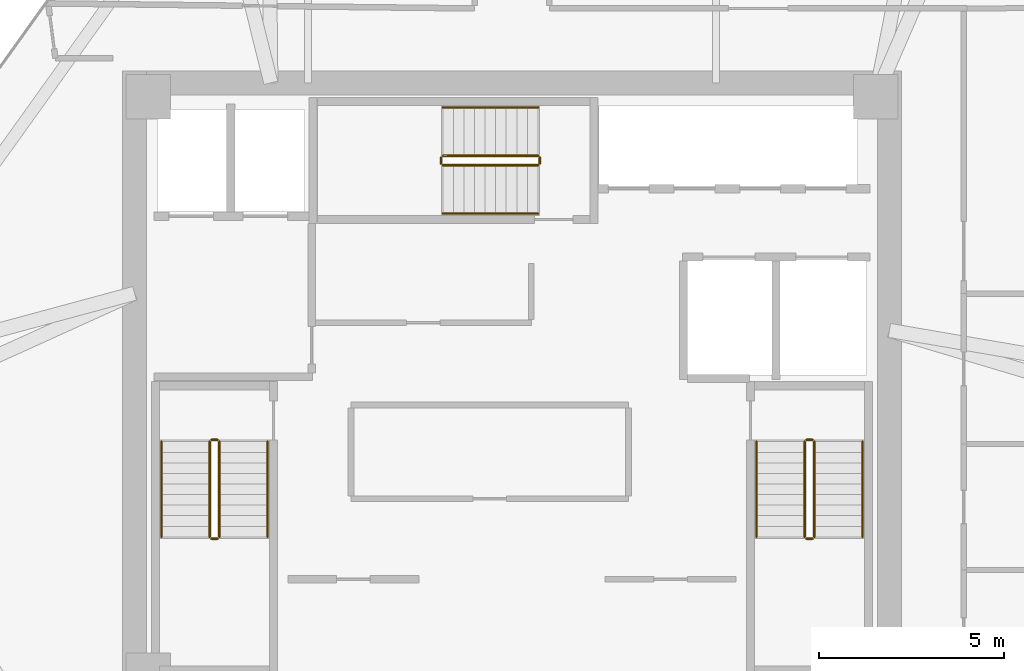
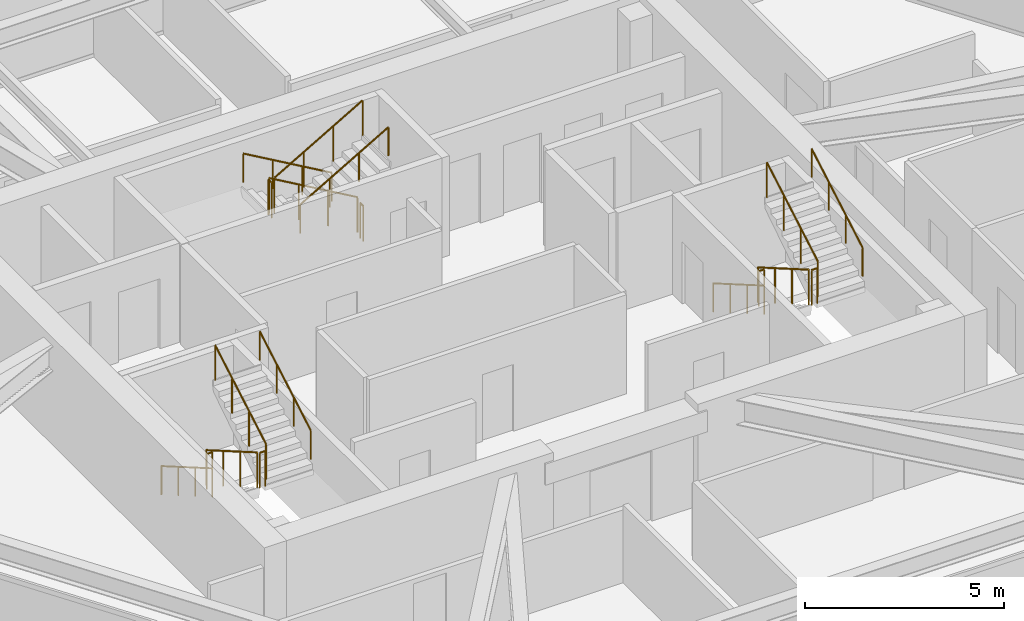
# One storey, part 11 of 11: 18 railings.
"""IFC4 building model written with IfcOpenShell, lengths in metres."""

from ifc_helpers import new_model, si_unit, direction, frame, origin, origin_2d, place, context, subcontext, project, spatial, circle, extrude, material, type_object, element, save


model = new_model("IFC4")

# Units and contexts
model_context = context("Model", 3, precision=1e-05, world=origin(), true_north=direction((0.0, 1.0)))
body_context = subcontext(model_context, "Body", "Model", "MODEL_VIEW")
ifc_project = project(units=[si_unit("LENGTHUNIT", "METRE"), si_unit("AREAUNIT", "SQUARE_METRE"), si_unit("VOLUMEUNIT", "CUBIC_METRE"), si_unit("PLANEANGLEUNIT", "RADIAN"), si_unit("MASSUNIT", "GRAM", prefix="KILO")], contexts=[model_context])

# Site, building, storey
site_placement = place(None, origin())
site = spatial("IfcSite", under=ifc_project, at=site_placement, CompositionType="ELEMENT")
building_placement = place(site_placement, origin())
building = spatial("IfcBuilding", under=site, at=building_placement, Name="Durnholm Broadcast Tower", CompositionType="ELEMENT")
storey_placement = place(building_placement, frame((0.0, 0.0, 170.5)))
storey = spatial("IfcBuildingStorey", under=building, at=storey_placement, Name="L46", CompositionType="ELEMENT", Elevation=170.5)

# Railings
ifc_material_1 = material(Name="Painted Tubular Steel Stair Guardrail", Category="steel")
railing_type_1 = type_object("IfcRailingType", Name="RAIL-ST-GRD", PredefinedType="GUARDRAIL", material=ifc_material_1)
railing_1_placement = place(storey_placement, frame((-8.14990234375, -1.5, 0.1650390625)))
element("IfcRailing", 1, at=railing_1_placement, inside=storey, type_object=railing_type_1, Name="L46 ST-1 stair guard 1", PredefinedType="GUARDRAIL", context=body_context, shape_type="SweptSolid", body=[
    extrude(circle(Radius=0.02392578125, at=origin_2d()), frame((0.0, 0.0, 1.076171875), z_axis=(0.0, -0.865441324677, 0.50101029285), x_axis=(1.0, 0.0, 0.0)), (0.0, 0.0, 1.0), 2.963623046875),
    extrude(circle(Radius=0.02099609375, at=origin_2d()), origin(), (0.0, 0.0, 1.0), 1.052001953125),
    extrude(circle(Radius=0.02099609375, at=origin_2d()), frame((0.0, -0.85498046875, 0.494873046875)), (0.0, 0.0, 1.0), 1.052001953125),
    extrude(circle(Radius=0.02099609375, at=origin_2d()), frame((0.0, -1.7099609375, 0.989990234375)), (0.0, 0.0, 1.0), 1.052001953125),
    extrude(circle(Radius=0.02099609375, at=origin_2d()), frame((0.0, -2.56494140625, 1.48486328125)), (0.0, 0.0, 1.0), 1.052001953125),
])
railing_2_placement = place(storey_placement, frame((-8.10009765625, -4.114990234375, 1.64990234375)))
element("IfcRailing", 2, at=railing_2_placement, inside=storey, type_object=railing_type_1, Name="L46 ST-1 stair guard 2", PredefinedType="GUARDRAIL", context=body_context, shape_type="SweptSolid", body=[
    extrude(circle(Radius=0.02392578125, at=origin_2d()), frame((0.0, 0.0, 1.076171875), z_axis=(1.0, 0.0, 0.0), x_axis=(0.0, 1.0, 0.0)), (0.0, 0.0, 1.0), 0.16015625),
    extrude(circle(Radius=0.02099609375, at=origin_2d()), origin(), (0.0, 0.0, 1.0), 1.052001953125),
    extrude(circle(Radius=0.02099609375, at=origin_2d()), frame((0.16015625, 0.0, 0.0)), (0.0, 0.0, 1.0), 1.052001953125),
])
railing_3_placement = place(storey_placement, frame((-7.889892578125, -4.06494140625, 1.81494140625)))
element("IfcRailing", 3, at=railing_3_placement, inside=storey, type_object=railing_type_1, Name="L46 ST-1 stair guard 3", PredefinedType="GUARDRAIL", context=body_context, shape_type="SweptSolid", body=[
    extrude(circle(Radius=0.02392578125, at=origin_2d()), frame((0.0, 0.0, 1.076171875), z_axis=(0.0, 0.865405606168, 0.501071987656), x_axis=(-1.0, 0.0, 0.0)), (0.0, 0.0, 1.0), 2.9638671875),
    extrude(circle(Radius=0.02099609375, at=origin_2d()), origin(), (0.0, 0.0, 1.0), 1.052001953125),
    extrude(circle(Radius=0.02099609375, at=origin_2d()), frame((0.0, 0.85498046875, 0.4951171875)), (0.0, 0.0, 1.0), 1.052001953125),
    extrude(circle(Radius=0.02099609375, at=origin_2d()), frame((0.0, 1.7099609375, 0.989990234375)), (0.0, 0.0, 1.0), 1.052001953125),
    extrude(circle(Radius=0.02099609375, at=origin_2d()), frame((0.0, 2.56494140625, 1.485107421875)), (0.0, 0.0, 1.0), 1.052001953125),
])
railing_4_placement = place(storey_placement, frame((-8.10009765625, -1.449951171875, 0.0)))
element("IfcRailing", 4, at=railing_4_placement, inside=storey, type_object=railing_type_1, Name="L46 ST-1 stair guard 4", PredefinedType="GUARDRAIL", context=body_context, shape_type="SweptSolid", body=[
    extrude(circle(Radius=0.02392578125, at=origin_2d()), frame((0.0, 0.0, 1.076171875), z_axis=(1.0, 0.0, 0.0), x_axis=(0.0, 1.0, 0.0)), (0.0, 0.0, 1.0), 0.16015625),
    extrude(circle(Radius=0.02099609375, at=origin_2d()), origin(), (0.0, 0.0, 1.0), 1.052001953125),
    extrude(circle(Radius=0.02099609375, at=origin_2d()), frame((0.16015625, 0.0, 0.0)), (0.0, 0.0, 1.0), 1.052001953125),
])
railing_5_placement = place(storey_placement, frame((7.889892578125, -1.5, 0.1650390625)))
element("IfcRailing", 5, at=railing_5_placement, inside=storey, type_object=railing_type_1, Name="L46 ST-2 stair guard 1", PredefinedType="GUARDRAIL", context=body_context, shape_type="SweptSolid", body=[
    extrude(circle(Radius=0.02392578125, at=origin_2d()), frame((0.0, 0.0, 1.076171875), z_axis=(0.0, -0.865441324677, 0.50101029285), x_axis=(1.0, 0.0, 0.0)), (0.0, 0.0, 1.0), 2.963623046875),
    extrude(circle(Radius=0.02099609375, at=origin_2d()), origin(), (0.0, 0.0, 1.0), 1.052001953125),
    extrude(circle(Radius=0.02099609375, at=origin_2d()), frame((0.0, -0.85498046875, 0.494873046875)), (0.0, 0.0, 1.0), 1.052001953125),
    extrude(circle(Radius=0.02099609375, at=origin_2d()), frame((0.0, -1.7099609375, 0.989990234375)), (0.0, 0.0, 1.0), 1.052001953125),
    extrude(circle(Radius=0.02099609375, at=origin_2d()), frame((0.0, -2.56494140625, 1.48486328125)), (0.0, 0.0, 1.0), 1.052001953125),
])
railing_6_placement = place(storey_placement, frame((7.93994140625, -4.114990234375, 1.64990234375)))
element("IfcRailing", 6, at=railing_6_placement, inside=storey, type_object=railing_type_1, Name="L46 ST-2 stair guard 2", PredefinedType="GUARDRAIL", context=body_context, shape_type="SweptSolid", body=[
    extrude(circle(Radius=0.02392578125, at=origin_2d()), frame((0.0, 0.0, 1.076171875), z_axis=(1.0, 0.0, 0.0), x_axis=(0.0, 1.0, 0.0)), (0.0, 0.0, 1.0), 0.16015625),
    extrude(circle(Radius=0.02099609375, at=origin_2d()), origin(), (0.0, 0.0, 1.0), 1.052001953125),
    extrude(circle(Radius=0.02099609375, at=origin_2d()), frame((0.16015625, 0.0, 0.0)), (0.0, 0.0, 1.0), 1.052001953125),
])
railing_7_placement = place(storey_placement, frame((8.14990234375, -4.06494140625, 1.81494140625)))
element("IfcRailing", 7, at=railing_7_placement, inside=storey, type_object=railing_type_1, Name="L46 ST-2 stair guard 3", PredefinedType="GUARDRAIL", context=body_context, shape_type="SweptSolid", body=[
    extrude(circle(Radius=0.02392578125, at=origin_2d()), frame((0.0, 0.0, 1.076171875), z_axis=(0.0, 0.865405606168, 0.501071987656), x_axis=(-1.0, 0.0, 0.0)), (0.0, 0.0, 1.0), 2.9638671875),
    extrude(circle(Radius=0.02099609375, at=origin_2d()), origin(), (0.0, 0.0, 1.0), 1.052001953125),
    extrude(circle(Radius=0.02099609375, at=origin_2d()), frame((0.0, 0.85498046875, 0.4951171875)), (0.0, 0.0, 1.0), 1.052001953125),
    extrude(circle(Radius=0.02099609375, at=origin_2d()), frame((0.0, 1.7099609375, 0.989990234375)), (0.0, 0.0, 1.0), 1.052001953125),
    extrude(circle(Radius=0.02099609375, at=origin_2d()), frame((0.0, 2.56494140625, 1.485107421875)), (0.0, 0.0, 1.0), 1.052001953125),
])
railing_8_placement = place(storey_placement, frame((7.93994140625, -1.449951171875, 0.0)))
element("IfcRailing", 8, at=railing_8_placement, inside=storey, type_object=railing_type_1, Name="L46 ST-2 stair guard 4", PredefinedType="GUARDRAIL", context=body_context, shape_type="SweptSolid", body=[
    extrude(circle(Radius=0.02392578125, at=origin_2d()), frame((0.0, 0.0, 1.076171875), z_axis=(1.0, 0.0, 0.0), x_axis=(0.0, 1.0, 0.0)), (0.0, 0.0, 1.0), 0.16015625),
    extrude(circle(Radius=0.02099609375, at=origin_2d()), origin(), (0.0, 0.0, 1.0), 1.052001953125),
    extrude(circle(Radius=0.02099609375, at=origin_2d()), frame((0.16015625, 0.0, 0.0)), (0.0, 0.0, 1.0), 1.052001953125),
])
railing_9_placement = place(storey_placement, frame((0.699951171875, 6.2099609375, 0.1650390625)))
element("IfcRailing", 9, at=railing_9_placement, inside=storey, type_object=railing_type_1, Name="L46 ST-3 stair guard 1", PredefinedType="GUARDRAIL", context=body_context, shape_type="SweptSolid", body=[
    extrude(circle(Radius=0.02392578125, at=origin_2d()), frame((0.0, 0.0, 1.076171875), z_axis=(-0.865441324677, 0.0, 0.50101029285), x_axis=(0.0, -1.0, 0.0)), (0.0, 0.0, 1.0), 2.963623046875),
    extrude(circle(Radius=0.02099609375, at=origin_2d()), origin(), (0.0, 0.0, 1.0), 1.052001953125),
    extrude(circle(Radius=0.02099609375, at=origin_2d()), frame((-0.85498046875, 0.0, 0.494873046875)), (0.0, 0.0, 1.0), 1.052001953125),
    extrude(circle(Radius=0.02099609375, at=origin_2d()), frame((-1.7099609375, 0.0, 0.989990234375)), (0.0, 0.0, 1.0), 1.052001953125),
    extrude(circle(Radius=0.02099609375, at=origin_2d()), frame((-2.56494140625, 0.0, 1.48486328125)), (0.0, 0.0, 1.0), 1.052001953125),
])
railing_10_placement = place(storey_placement, frame((-1.9150390625, 6.159912109375, 1.64990234375)))
element("IfcRailing", 10, at=railing_10_placement, inside=storey, type_object=railing_type_1, Name="L46 ST-3 stair guard 2", PredefinedType="GUARDRAIL", context=body_context, shape_type="SweptSolid", body=[
    extrude(circle(Radius=0.02392578125, at=origin_2d()), frame((0.0, 0.0, 1.076171875), z_axis=(0.0, -1.0, 0.0), x_axis=(1.0, 0.0, 0.0)), (0.0, 0.0, 1.0), 0.159912109375),
    extrude(circle(Radius=0.02099609375, at=origin_2d()), origin(), (0.0, 0.0, 1.0), 1.052001953125),
    extrude(circle(Radius=0.02099609375, at=origin_2d()), frame((0.0, -0.159912109375, 0.0)), (0.0, 0.0, 1.0), 1.052001953125),
])
railing_11_placement = place(storey_placement, frame((-1.864990234375, 5.949951171875, 1.81494140625)))
element("IfcRailing", 11, at=railing_11_placement, inside=storey, type_object=railing_type_1, Name="L46 ST-3 stair guard 3", PredefinedType="GUARDRAIL", context=body_context, shape_type="SweptSolid", body=[
    extrude(circle(Radius=0.02392578125, at=origin_2d()), frame((0.0, 0.0, 1.076171875), z_axis=(0.865405606168, 0.0, 0.501071987656), x_axis=(0.0, 1.0, 0.0)), (0.0, 0.0, 1.0), 2.9638671875),
    extrude(circle(Radius=0.02099609375, at=origin_2d()), origin(), (0.0, 0.0, 1.0), 1.052001953125),
    extrude(circle(Radius=0.02099609375, at=origin_2d()), frame((0.85498046875, 0.0, 0.4951171875)), (0.0, 0.0, 1.0), 1.052001953125),
    extrude(circle(Radius=0.02099609375, at=origin_2d()), frame((1.7099609375, 0.0, 0.989990234375)), (0.0, 0.0, 1.0), 1.052001953125),
    extrude(circle(Radius=0.02099609375, at=origin_2d()), frame((2.56494140625, 0.0, 1.485107421875)), (0.0, 0.0, 1.0), 1.052001953125),
])
railing_12_placement = place(storey_placement, frame((0.75, 6.159912109375, 0.0)))
element("IfcRailing", 12, at=railing_12_placement, inside=storey, type_object=railing_type_1, Name="L46 ST-3 stair guard 4", PredefinedType="GUARDRAIL", context=body_context, shape_type="SweptSolid", body=[
    extrude(circle(Radius=0.02392578125, at=origin_2d()), frame((0.0, 0.0, 1.076171875), z_axis=(0.0, -1.0, 0.0), x_axis=(1.0, 0.0, 0.0)), (0.0, 0.0, 1.0), 0.159912109375),
    extrude(circle(Radius=0.02099609375, at=origin_2d()), origin(), (0.0, 0.0, 1.0), 1.052001953125),
    extrude(circle(Radius=0.02099609375, at=origin_2d()), frame((0.0, -0.159912109375, 0.0)), (0.0, 0.0, 1.0), 1.052001953125),
])
ifc_material_2 = material(Name="Brushed Stainless Steel Handrail", Category="steel")
railing_type_2 = type_object("IfcRailingType", Name="RAIL-ST-HND", PredefinedType="HANDRAIL", material=ifc_material_2)
railing_13_placement = place(storey_placement, frame((-9.449951171875, -1.5, 0.330078125)))
element("IfcRailing", 13, at=railing_13_placement, inside=storey, type_object=railing_type_2, Name="L46 ST-1 stair handrail 1", PredefinedType="HANDRAIL", context=body_context, shape_type="SweptSolid", body=[
    extrude(circle(Radius=0.02392578125, at=origin_2d()), frame((0.0, 0.0, 0.8759765625), z_axis=(0.0, -0.865441324677, 0.50101029285), x_axis=(1.0, 0.0, 0.0)), (0.0, 0.0, 1.0), 2.963623046875),
    extrude(circle(Radius=0.02099609375, at=origin_2d()), origin(), (0.0, 0.0, 1.0), 0.851806640625),
    extrude(circle(Radius=0.02099609375, at=origin_2d()), frame((0.0, -0.85498046875, 0.494873046875)), (0.0, 0.0, 1.0), 0.851806640625),
    extrude(circle(Radius=0.02099609375, at=origin_2d()), frame((0.0, -1.7099609375, 0.989990234375)), (0.0, 0.0, 1.0), 0.851806640625),
    extrude(circle(Radius=0.02099609375, at=origin_2d()), frame((0.0, -2.56494140625, 1.48486328125)), (0.0, 0.0, 1.0), 0.851806640625),
])
railing_14_placement = place(storey_placement, frame((-6.590087890625, -4.06494140625, 1.97998046875)))
element("IfcRailing", 14, at=railing_14_placement, inside=storey, type_object=railing_type_2, Name="L46 ST-1 stair handrail 2", PredefinedType="HANDRAIL", context=body_context, shape_type="SweptSolid", body=[
    extrude(circle(Radius=0.02392578125, at=origin_2d()), frame((0.0, 0.0, 0.8759765625), z_axis=(0.0, 0.865405606168, 0.501071987656), x_axis=(-1.0, 0.0, 0.0)), (0.0, 0.0, 1.0), 2.9638671875),
    extrude(circle(Radius=0.02099609375, at=origin_2d()), origin(), (0.0, 0.0, 1.0), 0.851806640625),
    extrude(circle(Radius=0.02099609375, at=origin_2d()), frame((0.0, 0.85498046875, 0.4951171875)), (0.0, 0.0, 1.0), 0.851806640625),
    extrude(circle(Radius=0.02099609375, at=origin_2d()), frame((0.0, 1.7099609375, 0.989990234375)), (0.0, 0.0, 1.0), 0.851806640625),
    extrude(circle(Radius=0.02099609375, at=origin_2d()), frame((0.0, 2.56494140625, 1.485107421875)), (0.0, 0.0, 1.0), 0.851806640625),
])
railing_15_placement = place(storey_placement, frame((6.590087890625, -1.5, 0.330078125)))
element("IfcRailing", 15, at=railing_15_placement, inside=storey, type_object=railing_type_2, Name="L46 ST-2 stair handrail 1", PredefinedType="HANDRAIL", context=body_context, shape_type="SweptSolid", body=[
    extrude(circle(Radius=0.02392578125, at=origin_2d()), frame((0.0, 0.0, 0.8759765625), z_axis=(0.0, -0.865441324677, 0.50101029285), x_axis=(1.0, 0.0, 0.0)), (0.0, 0.0, 1.0), 2.963623046875),
    extrude(circle(Radius=0.02099609375, at=origin_2d()), origin(), (0.0, 0.0, 1.0), 0.851806640625),
    extrude(circle(Radius=0.02099609375, at=origin_2d()), frame((0.0, -0.85498046875, 0.494873046875)), (0.0, 0.0, 1.0), 0.851806640625),
    extrude(circle(Radius=0.02099609375, at=origin_2d()), frame((0.0, -1.7099609375, 0.989990234375)), (0.0, 0.0, 1.0), 0.851806640625),
    extrude(circle(Radius=0.02099609375, at=origin_2d()), frame((0.0, -2.56494140625, 1.48486328125)), (0.0, 0.0, 1.0), 0.851806640625),
])
railing_16_placement = place(storey_placement, frame((9.449951171875, -4.06494140625, 1.97998046875)))
element("IfcRailing", 16, at=railing_16_placement, inside=storey, type_object=railing_type_2, Name="L46 ST-2 stair handrail 2", PredefinedType="HANDRAIL", context=body_context, shape_type="SweptSolid", body=[
    extrude(circle(Radius=0.02392578125, at=origin_2d()), frame((0.0, 0.0, 0.8759765625), z_axis=(0.0, 0.865405606168, 0.501071987656), x_axis=(-1.0, 0.0, 0.0)), (0.0, 0.0, 1.0), 2.9638671875),
    extrude(circle(Radius=0.02099609375, at=origin_2d()), origin(), (0.0, 0.0, 1.0), 0.851806640625),
    extrude(circle(Radius=0.02099609375, at=origin_2d()), frame((0.0, 0.85498046875, 0.4951171875)), (0.0, 0.0, 1.0), 0.851806640625),
    extrude(circle(Radius=0.02099609375, at=origin_2d()), frame((0.0, 1.7099609375, 0.989990234375)), (0.0, 0.0, 1.0), 0.851806640625),
    extrude(circle(Radius=0.02099609375, at=origin_2d()), frame((0.0, 2.56494140625, 1.485107421875)), (0.0, 0.0, 1.0), 0.851806640625),
])
railing_17_placement = place(storey_placement, frame((0.699951171875, 7.510009765625, 0.330078125)))
element("IfcRailing", 17, at=railing_17_placement, inside=storey, type_object=railing_type_2, Name="L46 ST-3 stair handrail 1", PredefinedType="HANDRAIL", context=body_context, shape_type="SweptSolid", body=[
    extrude(circle(Radius=0.02392578125, at=origin_2d()), frame((0.0, 0.0, 0.8759765625), z_axis=(-0.865441324677, 0.0, 0.50101029285), x_axis=(0.0, -1.0, 0.0)), (0.0, 0.0, 1.0), 2.963623046875),
    extrude(circle(Radius=0.02099609375, at=origin_2d()), origin(), (0.0, 0.0, 1.0), 0.851806640625),
    extrude(circle(Radius=0.02099609375, at=origin_2d()), frame((-0.85498046875, 0.0, 0.494873046875)), (0.0, 0.0, 1.0), 0.851806640625),
    extrude(circle(Radius=0.02099609375, at=origin_2d()), frame((-1.7099609375, 0.0, 0.989990234375)), (0.0, 0.0, 1.0), 0.851806640625),
    extrude(circle(Radius=0.02099609375, at=origin_2d()), frame((-2.56494140625, 0.0, 1.48486328125)), (0.0, 0.0, 1.0), 0.851806640625),
])
railing_18_placement = place(storey_placement, frame((-1.864990234375, 4.64990234375, 1.97998046875)))
element("IfcRailing", 18, at=railing_18_placement, inside=storey, type_object=railing_type_2, Name="L46 ST-3 stair handrail 2", PredefinedType="HANDRAIL", context=body_context, shape_type="SweptSolid", body=[
    extrude(circle(Radius=0.02392578125, at=origin_2d()), frame((0.0, 0.0, 0.8759765625), z_axis=(0.865405606168, 0.0, 0.501071987656), x_axis=(0.0, 1.0, 0.0)), (0.0, 0.0, 1.0), 2.9638671875),
    extrude(circle(Radius=0.02099609375, at=origin_2d()), origin(), (0.0, 0.0, 1.0), 0.851806640625),
    extrude(circle(Radius=0.02099609375, at=origin_2d()), frame((0.85498046875, 0.0, 0.4951171875)), (0.0, 0.0, 1.0), 0.851806640625),
    extrude(circle(Radius=0.02099609375, at=origin_2d()), frame((1.7099609375, 0.0, 0.989990234375)), (0.0, 0.0, 1.0), 0.851806640625),
    extrude(circle(Radius=0.02099609375, at=origin_2d()), frame((2.56494140625, 0.0, 1.485107421875)), (0.0, 0.0, 1.0), 0.851806640625),
])

save(model, "model.ifc")
